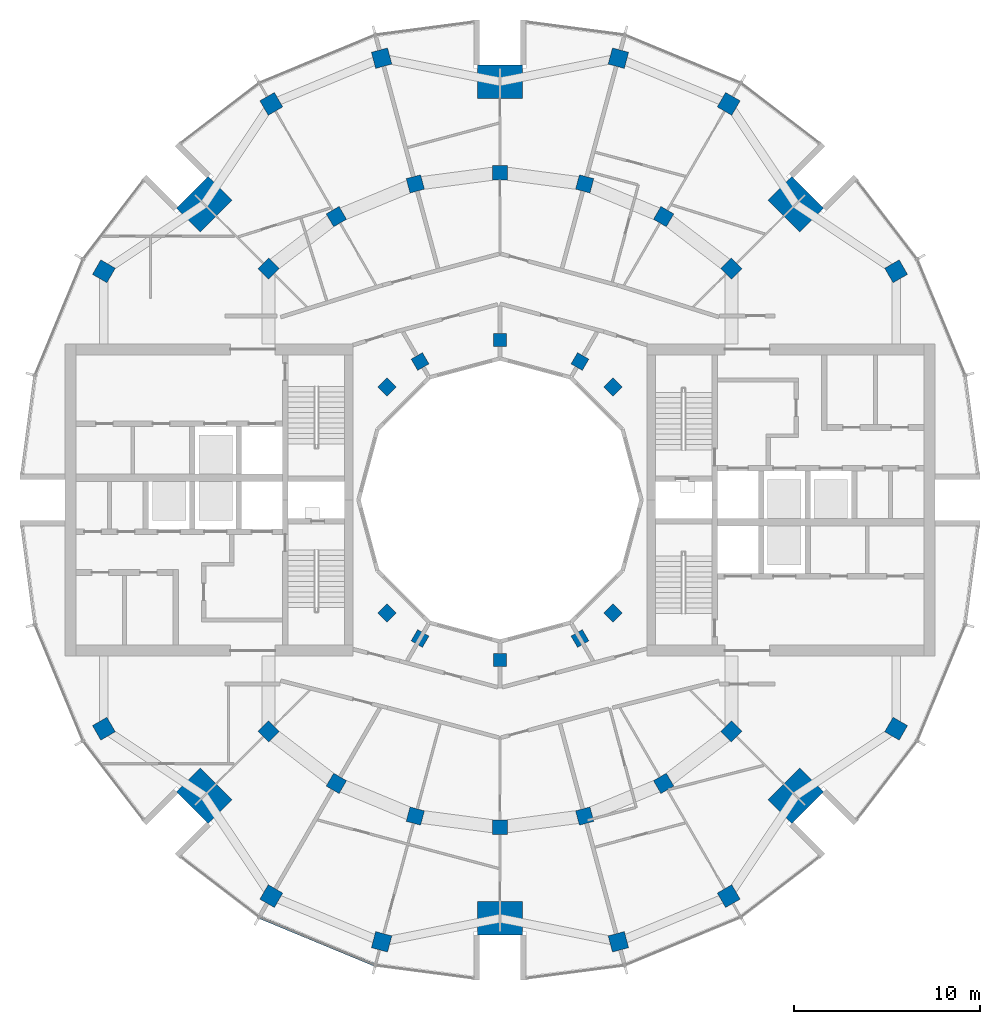
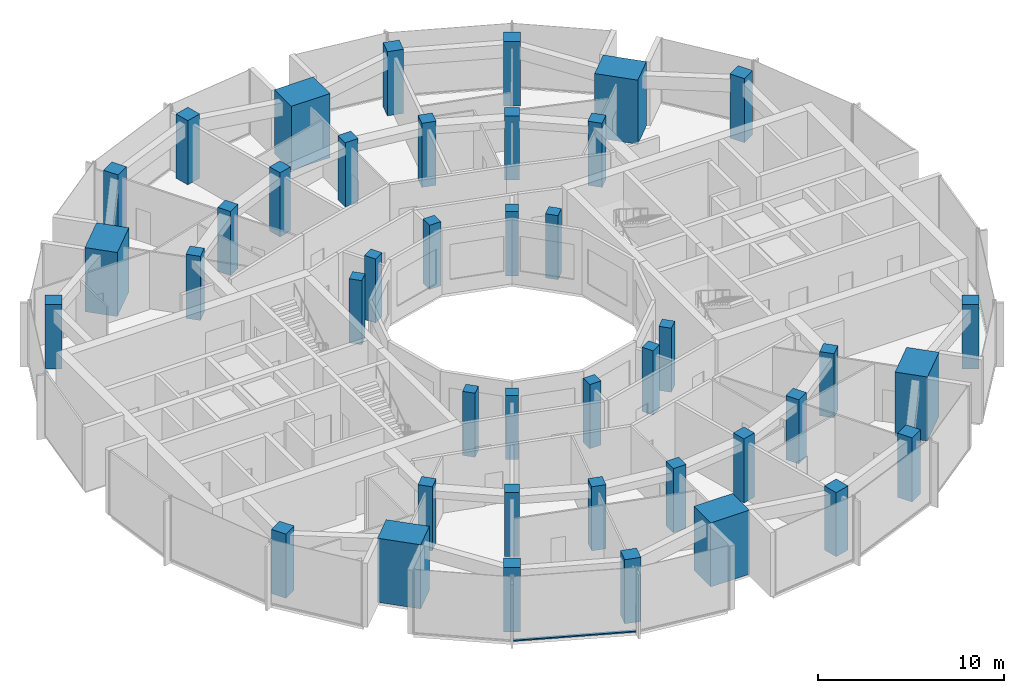
# One storey, part 1 of 15: 42 columns, 1 member, 1 element without a shape of its own.
"""IFC4 building model written with IfcOpenShell, lengths in metres."""

from ifc_helpers import new_model, si_unit, direction, frame, origin, origin_2d, place, context, subcontext, project, spatial, rectangle, extrude, material, layer, layer_set, material_profile, profile_set, type_object, element, aggregate, save


model = new_model("IFC4")

# Units and contexts
model_context = context("Model", 3, precision=1e-05, world=origin(), true_north=direction((0.0, 1.0)))
body_context = subcontext(model_context, "Body", "Model", "MODEL_VIEW")
ifc_project = project(units=[si_unit("LENGTHUNIT", "METRE"), si_unit("AREAUNIT", "SQUARE_METRE"), si_unit("VOLUMEUNIT", "CUBIC_METRE"), si_unit("PLANEANGLEUNIT", "RADIAN"), si_unit("MASSUNIT", "GRAM", prefix="KILO")], contexts=[model_context])

# Site, building, storey
site_placement = place(None, origin())
site = spatial("IfcSite", under=ifc_project, at=site_placement, CompositionType="ELEMENT")
building_placement = place(site_placement, origin())
building = spatial("IfcBuilding", under=site, at=building_placement, Name="Torre Brocal", CompositionType="ELEMENT")
storey_placement = place(building_placement, frame((0.0, 0.0, 237.300048828125)))
storey = spatial("IfcBuildingStorey", under=building, at=storey_placement, Name="L54", CompositionType="ELEMENT", Elevation=237.300048828125)

# Columns
ifc_material_1 = material(Name="Concrete C60", Category="concrete")
ifc_material_profile_1 = material_profile(ifc_material_1, rectangle(XDim=1.800048828125, YDim=2.39990234375, at=origin_2d()), Name="RC 1800X2400")
ifc_profile_set_1 = profile_set([ifc_material_profile_1], Name="Concrete C60")
column_type_1 = type_object("IfcColumnType", Name="RC COLUMN 1800X2400 C60", PredefinedType="COLUMN", material=ifc_profile_set_1)
for number, where, z_axis, x_axis, name in (
    (1, (95.909912109375, 90.909912109375, 0.0), (0.0, 0.0, 1.0), (0.707106781187, 0.707106781187, 0.0), "Column MC-1"),
    (2, (80.0, 97.5, 0.0), (0.0, 0.0, 1.0), (0.0, 1.0, 0.0), "Column MC-2"),
    (3, (64.090087890625, 90.909912109375, 0.0), (0.0, 0.0, 1.0), (-0.707106781187, 0.707106781187, 0.0), "Column MC-3"),
    (4, (64.090087890625, 59.090087890625, 0.0), (0.0, 0.0, 1.0), (-0.707106781187, -0.707106781187, 0.0), "Column MC-5"),
    (5, (80.0, 52.5, 0.0), (0.0, 0.0, 1.0), (0.0, -1.0, 0.0), "Column MC-6"),
    (6, (95.909912109375, 59.090087890625, 0.0), (0.0, 0.0, 1.0), (0.707106781187, -0.707106781187, 0.0), "Column MC-7"),
):
    element("IfcColumn", number, at=place(storey_placement, frame(where, z_axis=z_axis, x_axis=x_axis)), inside=storey, type_object=column_type_1, Name=name, PredefinedType="COLUMN", context=body_context, shape_type="SweptSolid", body=[
        extrude(rectangle(XDim=1.800048828125, YDim=2.39990234375, at=origin_2d()), origin(), (0.0, 0.0, 1.0), 4.199951171875),
    ])
ifc_material_2 = material(Name="Concrete C60", Category="concrete")
ifc_material_profile_2 = material_profile(ifc_material_2, rectangle(XDim=0.699951171875, YDim=0.699951171875, at=origin_2d()), Name="RC 700X700")
ifc_profile_set_2 = profile_set([ifc_material_profile_2], Name="Concrete C60")
column_type_2 = type_object("IfcColumnType", Name="RC COLUMN 700X700 C60", PredefinedType="COLUMN", material=ifc_profile_set_2)
for number, where, z_axis, x_axis, name in (
    (7, (86.0810546875, 81.0810546875, 0.0), (0.0, 0.0, 1.0), (0.707106781187, 0.707106781187, 0.0), "Column C-I03"),
    (8, (84.300048828125, 82.44775390625, 0.0), (0.0, 0.0, 1.0), (0.5, 0.866025403784, 0.0), "Column C-I04"),
    (9, (80.0, 83.60009765625, 0.0), (0.0, 0.0, 1.0), (0.0, 1.0, 0.0), "Column C-I06"),
    (10, (75.699951171875, 82.44775390625, 0.0), (0.0, 0.0, 1.0), (-0.5, 0.866025403784, 0.0), "Column C-I08"),
    (11, (73.9189453125, 81.0810546875, 0.0), (0.0, 0.0, 1.0), (-0.707106781187, 0.707106781187, 0.0), "Column C-I09"),
    (12, (73.9189453125, 68.9189453125, 0.0), (0.0, 0.0, 1.0), (-0.707106781187, -0.707106781187, 0.0), "Column C-I15"),
    (13, (75.699951171875, 67.55224609375, 0.0), (0.0, 0.0, 1.0), (-0.5, -0.866025403784, 0.0), "Column C-I16"),
    (14, (80.0, 66.39990234375, 0.0), (0.0, 0.0, 1.0), (0.0, -1.0, 0.0), "Column C-I18"),
    (15, (84.300048828125, 67.55224609375, 0.0), (0.0, 0.0, 1.0), (0.5, -0.866025403784, 0.0), "Column C-I20"),
    (16, (86.0810546875, 68.9189453125, 0.0), (0.0, 0.0, 1.0), (0.707106781187, -0.707106781187, 0.0), "Column C-I21"),
):
    element("IfcColumn", number, at=place(storey_placement, frame(where, z_axis=z_axis, x_axis=x_axis)), inside=storey, type_object=column_type_2, Name=name, PredefinedType="COLUMN", context=body_context, shape_type="SweptSolid", body=[
        extrude(rectangle(XDim=0.699951171875, YDim=0.699951171875, at=origin_2d()), origin(), (0.0, 0.0, 1.0), 4.199951171875),
    ])
ifc_material_3 = material(Name="Concrete C60", Category="concrete")
ifc_material_profile_3 = material_profile(ifc_material_3, rectangle(XDim=0.800048828125, YDim=0.800048828125, at=origin_2d()), Name="RC 800X800")
ifc_profile_set_3 = profile_set([ifc_material_profile_3], Name="Concrete C60")
column_type_3 = type_object("IfcColumnType", Name="RC COLUMN 800X800 C60", PredefinedType="COLUMN", material=ifc_profile_set_3)
for number, where, z_axis, x_axis, name in (
    (17, (92.445068359375, 87.445068359375, 0.0), (0.0, 0.0, 1.0), (0.707106781187, 0.707106781187, 0.0), "Column C-M03"),
    (18, (88.800048828125, 90.241943359375, 0.0), (0.0, 0.0, 1.0), (0.5, 0.866025403784, 0.0), "Column C-M04"),
    (19, (84.55517578125, 92.000244140625, 0.0), (0.0, 0.0, 1.0), (0.258819045103, 0.965925826289, 0.0), "Column C-M05"),
    (20, (80.0, 92.60009765625, 0.0), (0.0, 0.0, 1.0), (0.0, 1.0, 0.0), "Column C-M06"),
    (21, (75.44482421875, 92.000244140625, 0.0), (0.0, 0.0, 1.0), (-0.258819045103, 0.965925826289, 0.0), "Column C-M07"),
    (22, (71.199951171875, 90.241943359375, 0.0), (0.0, 0.0, 1.0), (-0.5, 0.866025403784, 0.0), "Column C-M08"),
    (23, (67.554931640625, 87.445068359375, 0.0), (0.0, 0.0, 1.0), (-0.707106781187, 0.707106781187, 0.0), "Column C-M09"),
    (24, (67.554931640625, 62.554931640625, 0.0), (0.0, 0.0, 1.0), (-0.707106781187, -0.707106781187, 0.0), "Column C-M15"),
    (25, (71.199951171875, 59.758056640625, 0.0), (0.0, 0.0, 1.0), (-0.5, -0.866025403784, 0.0), "Column C-M16"),
    (26, (75.44482421875, 57.999755859375, 0.0), (0.0, 0.0, 1.0), (-0.258819045103, -0.965925826289, 0.0), "Column C-M17"),
    (27, (80.0, 57.39990234375, 0.0), (0.0, 0.0, 1.0), (0.0, -1.0, 0.0), "Column C-M18"),
    (28, (84.55517578125, 57.999755859375, 0.0), (0.0, 0.0, 1.0), (0.258819045103, -0.965925826289, 0.0), "Column C-M19"),
    (29, (88.800048828125, 59.758056640625, 0.0), (0.0, 0.0, 1.0), (0.5, -0.866025403784, 0.0), "Column C-M20"),
    (30, (92.445068359375, 62.554931640625, 0.0), (0.0, 0.0, 1.0), (0.707106781187, -0.707106781187, 0.0), "Column C-M21"),
):
    element("IfcColumn", number, at=place(storey_placement, frame(where, z_axis=z_axis, x_axis=x_axis)), inside=storey, type_object=column_type_3, Name=name, PredefinedType="COLUMN", context=body_context, shape_type="SweptSolid", body=[
        extrude(rectangle(XDim=0.800048828125, YDim=0.800048828125, at=origin_2d()), origin(), (0.0, 0.0, 1.0), 4.199951171875),
    ])
ifc_material_4 = material(Name="Concrete C60", Category="concrete")
ifc_material_profile_4 = material_profile(ifc_material_4, rectangle(XDim=0.89990234375, YDim=0.89990234375, at=origin_2d()), Name="RC 900X900")
ifc_profile_set_4 = profile_set([ifc_material_profile_4], Name="Concrete C60")
column_type_4 = type_object("IfcColumnType", Name="RC COLUMN 900X900 C60", PredefinedType="COLUMN", material=ifc_profile_set_4)
for number, where, z_axis, x_axis, name in (
    (31, (101.30419921875, 87.300048828125, 0.0), (0.0, 0.0, 1.0), (0.866025403784, 0.5, 0.0), "Column C-O02"),
    (32, (92.300048828125, 96.30419921875, 0.0), (0.0, 0.0, 1.0), (0.5, 0.866025403784, 0.0), "Column C-O04"),
    (33, (86.366943359375, 98.76171875, 0.0), (0.0, 0.0, 1.0), (0.258819045103, 0.965925826289, 0.0), "Column C-O05"),
    (34, (73.633056640625, 98.76171875, 0.0), (0.0, 0.0, 1.0), (-0.258819045103, 0.965925826289, 0.0), "Column C-O07"),
    (35, (67.699951171875, 96.30419921875, 0.0), (0.0, 0.0, 1.0), (-0.5, 0.866025403784, 0.0), "Column C-O08"),
    (36, (58.69580078125, 87.300048828125, 0.0), (0.0, 0.0, 1.0), (-0.866025403784, 0.5, 0.0), "Column C-O10"),
    (37, (58.69580078125, 62.699951171875, 0.0), (0.0, 0.0, 1.0), (-0.866025403784, -0.5, 0.0), "Column C-O14"),
    (38, (67.699951171875, 53.69580078125, 0.0), (0.0, 0.0, 1.0), (-0.5, -0.866025403784, 0.0), "Column C-O16"),
    (39, (73.633056640625, 51.23828125, 0.0), (0.0, 0.0, 1.0), (-0.258819045103, -0.965925826289, 0.0), "Column C-O17"),
    (40, (86.366943359375, 51.23828125, 0.0), (0.0, 0.0, 1.0), (0.258819045103, -0.965925826289, 0.0), "Column C-O19"),
    (41, (92.300048828125, 53.69580078125, 0.0), (0.0, 0.0, 1.0), (0.5, -0.866025403784, 0.0), "Column C-O20"),
    (42, (101.30419921875, 62.699951171875, 0.0), (0.0, 0.0, 1.0), (0.866025403784, -0.5, 0.0), "Column C-O22"),
):
    element("IfcColumn", number, at=place(storey_placement, frame(where, z_axis=z_axis, x_axis=x_axis)), inside=storey, type_object=column_type_4, Name=name, PredefinedType="COLUMN", context=body_context, shape_type="SweptSolid", body=[
        extrude(rectangle(XDim=0.89990234375, YDim=0.89990234375, at=origin_2d()), origin(), (0.0, 0.0, 1.0), 4.199951171875),
    ])

# Curtain wall, member
ifc_material_5 = material(Name="Aluminium and glass", Category="aluminium")
ifc_layer = layer(ifc_material_5, 0.199951171875)
ifc_layer_set = layer_set([ifc_layer], Name="Aluminium and glass")
curtain_wall_type = type_object("IfcCurtainWallType", Name="CW-1 CURTAIN WALL 4200 HIGH", PredefinedType="NOTDEFINED", material=ifc_layer_set)
curtain_wall_placement = place(storey_placement, origin())
curtain_wall = element("IfcCurtainWall", 43, at=curtain_wall_placement, inside=storey, type_object=curtain_wall_type, Name="CW-1 RUN 17", PredefinedType="NOTDEFINED")
ifc_material_6 = material(Name="Aluminium, dark anodised", Category="aluminium")
ifc_material_profile_5 = material_profile(ifc_material_6, rectangle(XDim=0.159912109375, YDim=0.080078125, at=origin_2d()), Name="CW-1 TRANSOM 160X80")
ifc_profile_set_5 = profile_set([ifc_material_profile_5], Name="Aluminium, dark anodised")
member_type = type_object("IfcMemberType", Name="CW-1 TRANSOM 160X80", PredefinedType="USERDEFINED", material=ifc_profile_set_5)
member_placement = place(storey_placement, frame((67.10595703125, 52.547607421875, 0.0400390625), z_axis=(0.923887344364, -0.38266457234, 0.0), x_axis=(0.38266457234, 0.923887344364, 0.0)))
member = element("IfcMember", 44, at=member_placement, type_object=member_type, Name="CW1-5 transom 1.1", ObjectType="TRANSOM", PredefinedType="USERDEFINED", context=body_context, shape_type="SweptSolid", body=[
    extrude(rectangle(XDim=0.159912109375, YDim=0.080078125, at=origin_2d()), origin(), (0.0, 0.0, 1.0), 6.640869140625),
])
aggregate(curtain_wall, [member])

save(model, "model.ifc")
